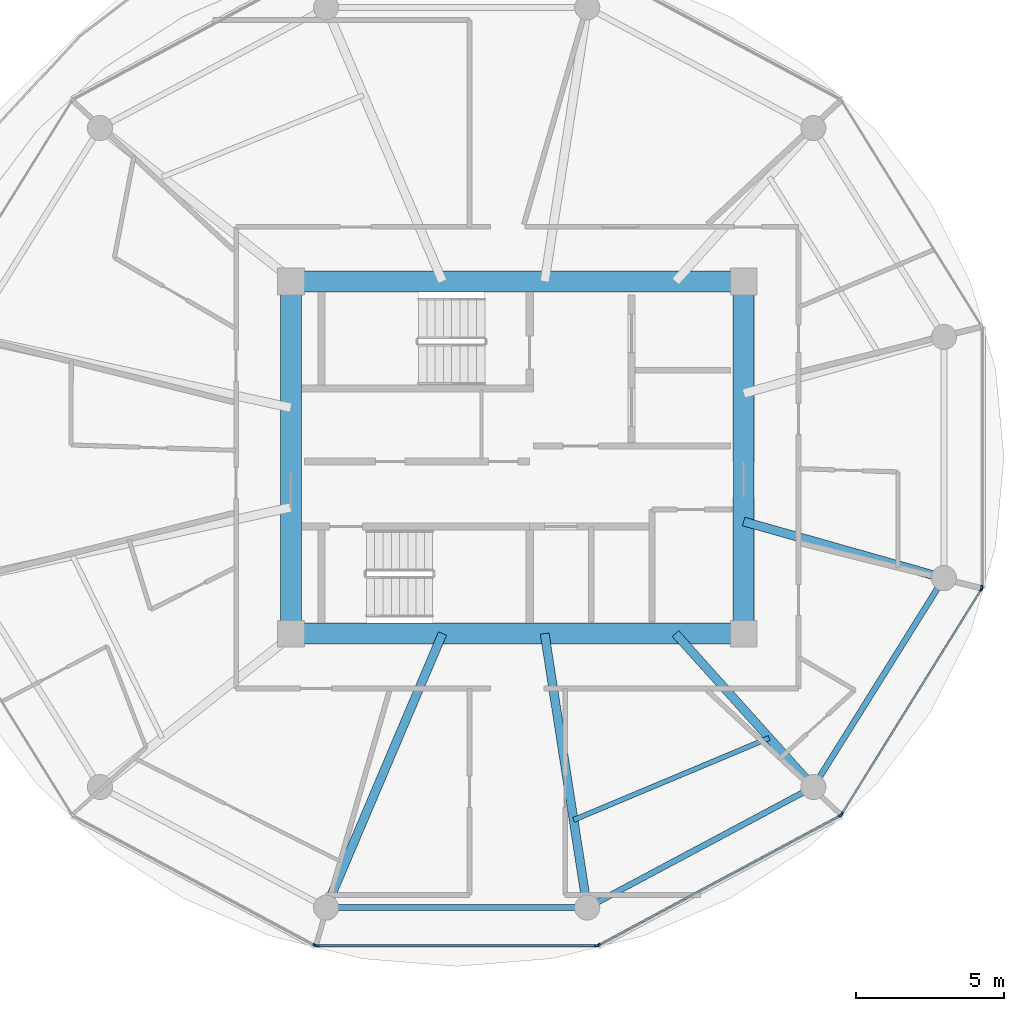
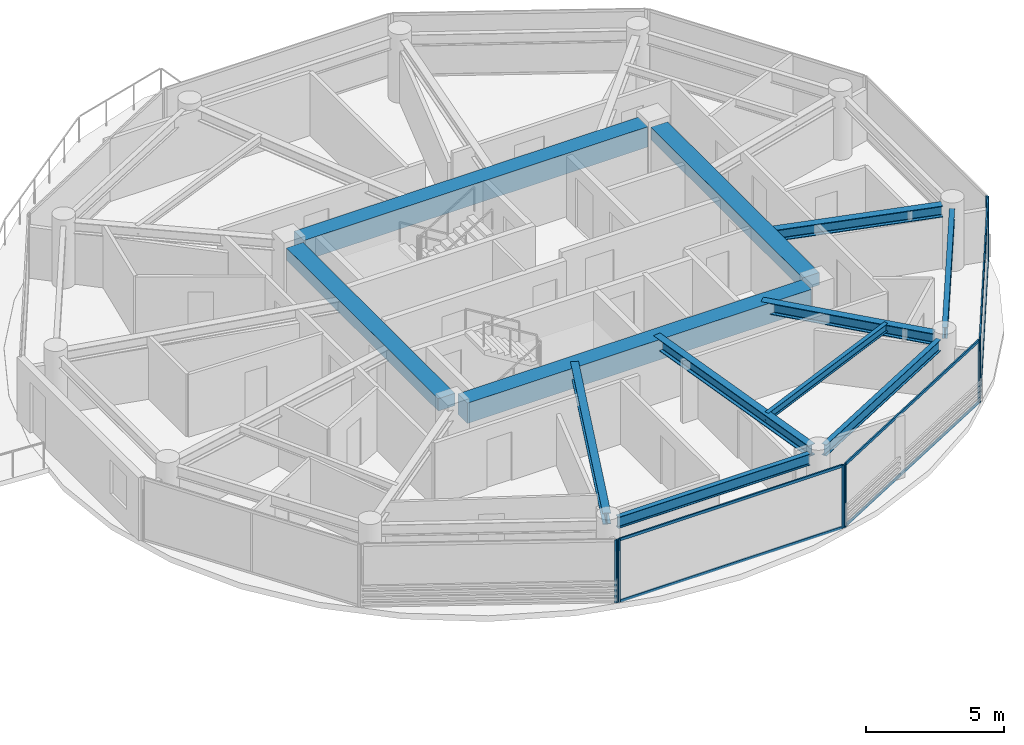
# One storey, part 10 of 22: 14 members, 12 beams, 5 elements without a shape of their own.
"""IFC4 building model written with IfcOpenShell, lengths in metres."""

from ifc_helpers import new_model, si_unit, direction, frame, origin, origin_2d, place, context, subcontext, project, spatial, rectangle, i_section, extrude, source, transform, mapped, material, layer, layer_set, material_profile, profile_set, type_object, type_shapes, element, aggregate, save


model = new_model("IFC4")

# Units and contexts
model_context = context("Model", 3, precision=1e-05, world=origin(), true_north=direction((0.0, 1.0)))
body_context = subcontext(model_context, "Body", "Model", "MODEL_VIEW")
ifc_project = project(units=[si_unit("LENGTHUNIT", "METRE"), si_unit("AREAUNIT", "SQUARE_METRE"), si_unit("VOLUMEUNIT", "CUBIC_METRE"), si_unit("PLANEANGLEUNIT", "RADIAN"), si_unit("MASSUNIT", "GRAM", prefix="KILO")], contexts=[model_context])

# Site, building, storey
site_placement = place(None, origin())
site = spatial("IfcSite", under=ifc_project, at=site_placement, CompositionType="ELEMENT")
building_placement = place(site_placement, origin())
building = spatial("IfcBuilding", under=site, at=building_placement, Name="Norrkilde Senior Care Towers", CompositionType="ELEMENT")
storey_placement = place(building_placement, frame((0.0, 0.0, 120.64990234375)))
storey = spatial("IfcBuildingStorey", under=building, at=storey_placement, Name="L37", CompositionType="ELEMENT", Elevation=120.64990234375)

# Beams
ifc_material_1 = material(Name="Concrete C60/75", Category="concrete")
ifc_material_profile_1 = material_profile(ifc_material_1, rectangle(XDim=0.699951171875, YDim=0.89990234375, at=origin_2d()), Name="RC BM 700x900")
ifc_profile_set_1 = profile_set([ifc_material_profile_1], Name="Concrete C60/75")
beam_type_1 = type_object("IfcBeamType", Name="Core Coupling Girder 700x900", PredefinedType="USERDEFINED", material=ifc_profile_set_1)
shared_shape_1 = source(origin(), body_context, "Body", "SweptSolid", [
    extrude(rectangle(XDim=0.699951171875, YDim=0.89990234375, at=origin_2d()), origin(), (0.0, 0.0, 1.0), 14.43994140625),
])
type_shapes(beam_type_1, [shared_shape_1])
for number, where, z_axis, x_axis, name in (
    (1, (20.780029296875, 5.949951171875, 2.340087890625), (1.0, 0.0, 0.0), (0.0, 1.0, 0.0), "L37 Core E N Coupling Girder"),
    (2, (20.780029296875, -5.949951171875, 2.340087890625), (1.0, 0.0, 0.0), (0.0, 1.0, 0.0), "L37 Core E S Coupling Girder"),
):
    element("IfcBeam", number, at=place(storey_placement, frame(where, z_axis=z_axis, x_axis=x_axis)), inside=storey, type_object=beam_type_1, Name=name, ObjectType="GIRDER", PredefinedType="USERDEFINED", context=body_context, shape_type="MappedRepresentation", body=[
        mapped(shared_shape_1, transform((0.0, 0.0, 0.0), x_axis=(1.0, 0.0, 0.0), y_axis=(0.0, 1.0, 0.0), z_axis=(0.0, 0.0, 1.0), scale=1.0)),
    ])
ifc_material_profile_2 = material_profile(ifc_material_1, rectangle(XDim=0.699951171875, YDim=0.550048828125, at=origin_2d()), Name="RC BM 700x550")
ifc_profile_set_2 = profile_set([ifc_material_profile_2], Name="Concrete C60/75")
beam_type_2 = type_object("IfcBeamType", Name="Core Portal Coupling Beam 700x550", PredefinedType="USERDEFINED", material=ifc_profile_set_2)
shared_shape_2 = source(origin(), body_context, "Body", "SweptSolid", [
    extrude(rectangle(XDim=0.699951171875, YDim=0.550048828125, at=origin_2d()), origin(), (0.0, 0.0, 1.0), 11.0400390625),
])
type_shapes(beam_type_2, [shared_shape_2])
for number, where, z_axis, x_axis, name in (
    (3, (20.35009765625, -5.52001953125, 2.51513671875), (0.0, 1.0, 0.0), (-1.0, 0.0, 0.0), "L37 Core E W Coupling Girder"),
    (4, (35.64990234375, -5.52001953125, 2.51513671875), (0.0, 1.0, 0.0), (-1.0, 0.0, 0.0), "L37 Core E E Coupling Girder"),
):
    element("IfcBeam", number, at=place(storey_placement, frame(where, z_axis=z_axis, x_axis=x_axis)), inside=storey, type_object=beam_type_2, Name=name, ObjectType="GIRDER", PredefinedType="USERDEFINED", context=body_context, shape_type="MappedRepresentation", body=[
        mapped(shared_shape_2, transform((0.0, 0.0, 0.0), x_axis=(1.0, 0.0, 0.0), y_axis=(0.0, 1.0, 0.0), z_axis=(0.0, 0.0, 1.0), scale=1.0)),
    ])
ifc_material_2 = material(Name="Steel S355", Category="steel")
ifc_material_profile_3 = material_profile(ifc_material_2, i_section(OverallWidth=0.199951171875, OverallDepth=0.5, WebThickness=0.01025390625, FlangeThickness=0.01611328125, FilletRadius=0.02099609375, at=origin_2d()), Name="IPE 500")
ifc_profile_set_3 = profile_set([ifc_material_profile_3], Name="Steel S355")
beam_type_3 = type_object("IfcBeamType", Name="Perimeter Ring Spandrel Z2 IPE500", PredefinedType="SPANDREL", material=ifc_profile_set_3)
shared_shape_3 = source(origin(), body_context, "Body", "SweptSolid", [
    extrude(i_section(OverallWidth=0.199951171875, OverallDepth=0.5, WebThickness=0.01025390625, FlangeThickness=0.01611328125, FilletRadius=0.02099609375, at=origin_2d()), origin(), (0.0, 0.0, 1.0), 7.892333984375),
])
beam_1_placement = place(storey_placement, frame((30.70263671875, -15.0322265625, 2.5400390625), z_axis=(0.882350372282, 0.47059305194, 0.0), x_axis=(-0.47059305194, 0.882350372282, 0.0)))
element("IfcBeam", 5, at=beam_1_placement, inside=storey, type_object=beam_type_3, Name="L37 Drum E Perimeter Spandrel 10", PredefinedType="SPANDREL", context=body_context, shape_type="MappedRepresentation", body=[
    mapped(shared_shape_3, transform((0.0, 0.0, 0.0), x_axis=(1.0, 0.0, 0.0), y_axis=(0.0, 1.0, 0.0), z_axis=(0.0, 0.0, 1.0), scale=1.0)),
])
shared_shape_4 = source(origin(), body_context, "Body", "SweptSolid", [
    extrude(i_section(OverallWidth=0.199951171875, OverallDepth=0.5, WebThickness=0.01025390625, FlangeThickness=0.01611328125, FilletRadius=0.02099609375, at=origin_2d()), origin(), (0.0, 0.0, 1.0), 8.0556640625),
])
beam_2_placement = place(storey_placement, frame((21.922119140625, -15.21337890625, 2.5400390625), z_axis=(1.0, 0.0, 0.0), x_axis=(0.0, 1.0, 0.0)))
element("IfcBeam", 6, at=beam_2_placement, inside=storey, type_object=beam_type_3, Name="L37 Drum E Perimeter Spandrel 09", PredefinedType="SPANDREL", context=body_context, shape_type="MappedRepresentation", body=[
    mapped(shared_shape_4, transform((0.0, 0.0, 0.0), x_axis=(1.0, 0.0, 0.0), y_axis=(0.0, 1.0, 0.0), z_axis=(0.0, 0.0, 1.0), scale=1.0)),
])
ifc_material_profile_4 = material_profile(ifc_material_2, i_section(OverallWidth=0.300048828125, OverallDepth=0.5, WebThickness=0.014404296875, FlangeThickness=0.028076171875, FilletRadius=0.027099609375, at=origin_2d()), Name="HEB 500")
ifc_profile_set_4 = profile_set([ifc_material_profile_4], Name="Steel S355")
beam_type_4 = type_object("IfcBeamType", Name="Radial Floor Beam Z2 HEB500", PredefinedType="BEAM", material=ifc_profile_set_4)
shared_shape_5 = source(origin(), body_context, "Body", "SweptSolid", [
    extrude(i_section(OverallWidth=0.300048828125, OverallDepth=0.5, WebThickness=0.014404296875, FlangeThickness=0.028076171875, FilletRadius=0.027099609375, at=origin_2d()), origin(), (0.0, 0.0, 1.0), 9.679443359375),
])
beam_3_placement = place(storey_placement, frame((25.472412109375, -5.949951171875, 2.5400390625), z_axis=(-0.390998033479, -0.920391513333, 0.0), x_axis=(0.920391513333, -0.390998033479, 0.0)))
element("IfcBeam", 7, at=beam_3_placement, inside=storey, type_object=beam_type_4, Name="L37 Drum E Radial Floor Beam 09", PredefinedType="BEAM", context=body_context, shape_type="MappedRepresentation", body=[
    mapped(shared_shape_5, transform((0.0, 0.0, 0.0), x_axis=(1.0, 0.0, 0.0), y_axis=(0.0, 1.0, 0.0), z_axis=(0.0, 0.0, 1.0), scale=1.0)),
])
shared_shape_6 = source(origin(), body_context, "Body", "SweptSolid", [
    extrude(i_section(OverallWidth=0.300048828125, OverallDepth=0.5, WebThickness=0.014404296875, FlangeThickness=0.028076171875, FilletRadius=0.027099609375, at=origin_2d()), origin(), (0.0, 0.0, 1.0), 8.989501953125),
])
beam_4_placement = place(storey_placement, frame((28.924072265625, -5.949951171875, 2.5400390625), z_axis=(0.153471298636, -0.988153105796, 0.0), x_axis=(0.988153105796, 0.153471298636, 0.0)))
element("IfcBeam", 8, at=beam_4_placement, inside=storey, type_object=beam_type_4, Name="L37 Drum E Radial Floor Beam 10", PredefinedType="BEAM", context=body_context, shape_type="MappedRepresentation", body=[
    mapped(shared_shape_6, transform((0.0, 0.0, 0.0), x_axis=(1.0, 0.0, 0.0), y_axis=(0.0, 1.0, 0.0), z_axis=(0.0, 0.0, 1.0), scale=1.0)),
])
shared_shape_7 = source(origin(), body_context, "Body", "SweptSolid", [
    extrude(i_section(OverallWidth=0.199951171875, OverallDepth=0.5, WebThickness=0.01025390625, FlangeThickness=0.01611328125, FilletRadius=0.02099609375, at=origin_2d()), origin(), (0.0, 0.0, 1.0), 7.556396484375),
])
type_shapes(beam_type_3, [shared_shape_3, shared_shape_4, shared_shape_7])
beam_5_placement = place(storey_placement, frame((38.210205078125, -10.810546875, 2.5400390625), z_axis=(0.530004748437, 0.847994673706, 0.0), x_axis=(-0.847994673706, 0.530004748437, 0.0)))
element("IfcBeam", 9, at=beam_5_placement, inside=storey, type_object=beam_type_3, Name="L37 Drum E Perimeter Spandrel 11", PredefinedType="SPANDREL", context=body_context, shape_type="MappedRepresentation", body=[
    mapped(shared_shape_7, transform((0.0, 0.0, 0.0), x_axis=(1.0, 0.0, 0.0), y_axis=(0.0, 1.0, 0.0), z_axis=(0.0, 0.0, 1.0), scale=1.0)),
])
shared_shape_8 = source(origin(), body_context, "Body", "SweptSolid", [
    extrude(i_section(OverallWidth=0.300048828125, OverallDepth=0.5, WebThickness=0.014404296875, FlangeThickness=0.028076171875, FilletRadius=0.027099609375, at=origin_2d()), origin(), (0.0, 0.0, 1.0), 6.587890625),
])
beam_6_placement = place(storey_placement, frame((33.345947265625, -5.949951171875, 2.5400390625), z_axis=(0.668315438605, -0.743877997068, 0.0), x_axis=(0.743877997068, 0.668315438605, 0.0)))
element("IfcBeam", 10, at=beam_6_placement, inside=storey, type_object=beam_type_4, Name="L37 Drum E Radial Floor Beam 11", PredefinedType="BEAM", context=body_context, shape_type="MappedRepresentation", body=[
    mapped(shared_shape_8, transform((0.0, 0.0, 0.0), x_axis=(1.0, 0.0, 0.0), y_axis=(0.0, 1.0, 0.0), z_axis=(0.0, 0.0, 1.0), scale=1.0)),
])
shared_shape_9 = source(origin(), body_context, "Body", "SweptSolid", [
    extrude(i_section(OverallWidth=0.300048828125, OverallDepth=0.5, WebThickness=0.014404296875, FlangeThickness=0.028076171875, FilletRadius=0.027099609375, at=origin_2d()), origin(), (0.0, 0.0, 1.0), 6.6494140625),
])
type_shapes(beam_type_4, [shared_shape_5, shared_shape_6, shared_shape_8, shared_shape_9])
beam_7_placement = place(storey_placement, frame((35.64990234375, -2.162841796875, 2.5400390625), z_axis=(0.962289138357, -0.27202870106, 0.0), x_axis=(0.27202870106, 0.962289138357, 0.0)))
element("IfcBeam", 11, at=beam_7_placement, inside=storey, type_object=beam_type_4, Name="L37 Drum E Radial Floor Beam 12", PredefinedType="BEAM", context=body_context, shape_type="MappedRepresentation", body=[
    mapped(shared_shape_9, transform((0.0, 0.0, 0.0), x_axis=(1.0, 0.0, 0.0), y_axis=(0.0, 1.0, 0.0), z_axis=(0.0, 0.0, 1.0), scale=1.0)),
])
ifc_material_profile_5 = material_profile(ifc_material_2, i_section(OverallWidth=0.169921875, OverallDepth=0.360107421875, WebThickness=0.008056640625, FlangeThickness=0.0126953125, FilletRadius=0.01806640625, at=origin_2d()), Name="IPE 360")
ifc_profile_set_5 = profile_set([ifc_material_profile_5], Name="Steel S355")
beam_type_5 = type_object("IfcBeamType", Name="Secondary Floor Joist IPE360", PredefinedType="JOIST", material=ifc_profile_set_5)
shared_shape_10 = source(origin(), body_context, "Body", "SweptSolid", [
    extrude(i_section(OverallWidth=0.169921875, OverallDepth=0.360107421875, WebThickness=0.008056640625, FlangeThickness=0.0126953125, FilletRadius=0.01806640625, at=origin_2d()), origin(), (0.0, 0.0, 1.0), 7.169921875),
])
type_shapes(beam_type_5, [shared_shape_10])
beam_8_placement = place(storey_placement, frame((29.902587890625, -12.2490234375, 2.610107421875), z_axis=(0.922240600393, 0.386616444279, 0.0), x_axis=(-0.386616444279, 0.922240600393, 0.0)))
element("IfcBeam", 12, at=beam_8_placement, inside=storey, type_object=beam_type_5, Name="L37 Drum E Secondary Floor Joist 4", PredefinedType="JOIST", context=body_context, shape_type="MappedRepresentation", body=[
    mapped(shared_shape_10, transform((0.0, 0.0, 0.0), x_axis=(1.0, 0.0, 0.0), y_axis=(0.0, 1.0, 0.0), z_axis=(0.0, 0.0, 1.0), scale=1.0)),
])

# Curtain wall, member
ifc_material_3 = material(Name="Triple Low-E Insulated Glazing", Category="glass")
ifc_layer = layer(ifc_material_3, 0.195068359375)
ifc_layer_set = layer_set([ifc_layer], Name="Triple Low-E Insulated Glazing")
curtain_wall_type = type_object("IfcCurtainWallType", Name="CW3 Zone 2 Assisted Living Curtain Wall", PredefinedType="NOTDEFINED", material=ifc_layer_set)
curtain_wall_1_placement = place(storey_placement, origin())
curtain_wall_1 = element("IfcCurtainWall", 13, at=curtain_wall_1_placement, inside=storey, type_object=curtain_wall_type, Name="L37 Drum E Curtain Wall 07", PredefinedType="NOTDEFINED")
ifc_material_4 = material(Name="Anodised Aluminium", Category="aluminium")
ifc_material_profile_6 = material_profile(ifc_material_4, rectangle(XDim=0.06494140625, YDim=0.159912109375, at=origin_2d()), Name="ALU MULL 65x160")
ifc_profile_set_6 = profile_set([ifc_material_profile_6], Name="Anodised Aluminium")
member_type_1 = type_object("IfcMemberType", Name="Curtain Wall Mullion Z1-Z2 65x160", PredefinedType="MULLION", material=ifc_profile_set_6)
shared_shape_11 = source(origin(), body_context, "Body", "SweptSolid", [
    extrude(rectangle(XDim=0.06494140625, YDim=0.159912109375, at=origin_2d()), origin(), (0.0, 0.0, 1.0), 2.7900390625),
])
type_shapes(member_type_1, [shared_shape_11])
member_1_placement = place(storey_placement, frame((21.164306640625, -16.482666015625, 0.0), z_axis=(0.0, 0.0, 1.0), x_axis=(-0.472769402511, -0.881186184668, 0.0)))
member_1 = element("IfcMember", 14, at=member_1_placement, type_object=member_type_1, Name="CW-3 mullion 1", PredefinedType="MULLION", context=body_context, shape_type="MappedRepresentation", body=[
    mapped(shared_shape_11, transform((0.0, 0.0, 0.0), x_axis=(1.0, 0.0, 0.0), y_axis=(0.0, 1.0, 0.0), z_axis=(0.0, 0.0, 1.0), scale=1.0)),
])
aggregate(curtain_wall_1, [member_1])

# Curtain wall, members
curtain_wall_2_placement = place(storey_placement, origin())
curtain_wall_2 = element("IfcCurtainWall", 15, at=curtain_wall_2_placement, inside=storey, type_object=curtain_wall_type, Name="L37 Drum E Curtain Wall 08", PredefinedType="NOTDEFINED")
member_2_placement = place(storey_placement, frame((30.674560546875, -16.498046875, 0.0), z_axis=(0.0, 0.0, 1.0), x_axis=(0.0, -1.0, 0.0)))
member_2 = element("IfcMember", 16, at=member_2_placement, type_object=member_type_1, Name="CW-3 mullion 1", PredefinedType="MULLION", context=body_context, shape_type="MappedRepresentation", body=[
    mapped(shared_shape_11, transform((0.0, 0.0, 0.0), x_axis=(1.0, 0.0, 0.0), y_axis=(0.0, 1.0, 0.0), z_axis=(0.0, 0.0, 1.0), scale=1.0)),
])
member_3_placement = place(storey_placement, frame((21.225341796875, -16.498046875, 0.0), z_axis=(0.0, 0.0, 1.0), x_axis=(0.0, -1.0, 0.0)))
member_3 = element("IfcMember", 17, at=member_3_placement, type_object=member_type_1, Name="CW-3 mullion 2", PredefinedType="MULLION", context=body_context, shape_type="MappedRepresentation", body=[
    mapped(shared_shape_11, transform((0.0, 0.0, 0.0), x_axis=(1.0, 0.0, 0.0), y_axis=(0.0, 1.0, 0.0), z_axis=(0.0, 0.0, 1.0), scale=1.0)),
])

curtain_wall_3_placement = place(storey_placement, origin())
curtain_wall_3 = element("IfcCurtainWall", 18, at=curtain_wall_3_placement, inside=storey, type_object=curtain_wall_type, Name="L37 Drum E Curtain Wall 09", PredefinedType="NOTDEFINED")
member_4_placement = place(storey_placement, frame((38.91796875, -12.0927734375, 0.0), z_axis=(0.0, 0.0, 1.0), x_axis=(0.472769402511, -0.881186184668, 0.0)))
member_4 = element("IfcMember", 19, at=member_4_placement, type_object=member_type_1, Name="CW-3 mullion 1", PredefinedType="MULLION", context=body_context, shape_type="MappedRepresentation", body=[
    mapped(shared_shape_11, transform((0.0, 0.0, 0.0), x_axis=(1.0, 0.0, 0.0), y_axis=(0.0, 1.0, 0.0), z_axis=(0.0, 0.0, 1.0), scale=1.0)),
])
member_5_placement = place(storey_placement, frame((30.73583984375, -16.482666015625, 0.0), z_axis=(0.0, 0.0, 1.0), x_axis=(0.472769402511, -0.881186184668, 0.0)))
member_5 = element("IfcMember", 20, at=member_5_placement, type_object=member_type_1, Name="CW-3 mullion 2", PredefinedType="MULLION", context=body_context, shape_type="MappedRepresentation", body=[
    mapped(shared_shape_11, transform((0.0, 0.0, 0.0), x_axis=(1.0, 0.0, 0.0), y_axis=(0.0, 1.0, 0.0), z_axis=(0.0, 0.0, 1.0), scale=1.0)),
])

curtain_wall_4_placement = place(storey_placement, origin())
curtain_wall_4 = element("IfcCurtainWall", 21, at=curtain_wall_4_placement, inside=storey, type_object=curtain_wall_type, Name="L37 Drum E Curtain Wall 10", PredefinedType="NOTDEFINED")
member_6_placement = place(storey_placement, frame((43.6865234375, -4.4482421875, 0.0), z_axis=(0.0, 0.0, 1.0), x_axis=(0.849410171862, -0.527733228002, 0.0)))
member_6 = element("IfcMember", 22, at=member_6_placement, type_object=member_type_1, Name="CW-3 mullion 1", PredefinedType="MULLION", context=body_context, shape_type="MappedRepresentation", body=[
    mapped(shared_shape_11, transform((0.0, 0.0, 0.0), x_axis=(1.0, 0.0, 0.0), y_axis=(0.0, 1.0, 0.0), z_axis=(0.0, 0.0, 1.0), scale=1.0)),
])
member_7_placement = place(storey_placement, frame((38.9638671875, -12.0498046875, 0.0), z_axis=(0.0, 0.0, 1.0), x_axis=(0.849410171862, -0.527733228002, 0.0)))
member_7 = element("IfcMember", 23, at=member_7_placement, type_object=member_type_1, Name="CW-3 mullion 2", PredefinedType="MULLION", context=body_context, shape_type="MappedRepresentation", body=[
    mapped(shared_shape_11, transform((0.0, 0.0, 0.0), x_axis=(1.0, 0.0, 0.0), y_axis=(0.0, 1.0, 0.0), z_axis=(0.0, 0.0, 1.0), scale=1.0)),
])

# Curtain wall, member
curtain_wall_5_placement = place(storey_placement, origin())
curtain_wall_5 = element("IfcCurtainWall", 24, at=curtain_wall_5_placement, inside=storey, type_object=curtain_wall_type, Name="L37 Drum E Curtain Wall 11", PredefinedType="NOTDEFINED")
member_8_placement = place(storey_placement, frame((43.70361328125, -4.38818359375, 0.0), z_axis=(0.0, 0.0, 1.0), x_axis=(1.0, 0.0, 0.0)))
member_8 = element("IfcMember", 25, at=member_8_placement, type_object=member_type_1, Name="CW-3 mullion 2", PredefinedType="MULLION", context=body_context, shape_type="MappedRepresentation", body=[
    mapped(shared_shape_11, transform((0.0, 0.0, 0.0), x_axis=(1.0, 0.0, 0.0), y_axis=(0.0, 1.0, 0.0), z_axis=(0.0, 0.0, 1.0), scale=1.0)),
])
aggregate(curtain_wall_5, [member_8])

# Member
ifc_material_profile_7 = material_profile(ifc_material_4, rectangle(XDim=0.06005859375, YDim=0.1201171875, at=origin_2d()), Name="ALU TRAN 60x120")
ifc_profile_set_7 = profile_set([ifc_material_profile_7], Name="Anodised Aluminium")
member_type_2 = type_object("IfcMemberType", Name="Curtain Wall Transom Typical 60x120", PredefinedType="USERDEFINED", material=ifc_profile_set_7)
shared_shape_12 = source(origin(), body_context, "Body", "SweptSolid", [
    extrude(rectangle(XDim=0.06005859375, YDim=0.1201171875, at=origin_2d()), origin(), (0.0, 0.0, 1.0), 8.88427734375),
])
member_9_placement = place(storey_placement, frame((43.66943359375, -4.475830078125, 0.030029296875), z_axis=(-0.527729466743, -0.849412508697, 0.0), x_axis=(0.849412508697, -0.527729466743, 0.0)))
member_9 = element("IfcMember", 26, at=member_9_placement, type_object=member_type_2, Name="CW-3 transom 1.1", ObjectType="TRANSOM", PredefinedType="USERDEFINED", context=body_context, shape_type="MappedRepresentation", body=[
    mapped(shared_shape_12, transform((0.0, 0.0, 0.0), x_axis=(1.0, 0.0, 0.0), y_axis=(0.0, 1.0, 0.0), z_axis=(0.0, 0.0, 1.0), scale=1.0)),
])

member_10_placement = place(storey_placement, frame((43.66943359375, -4.475830078125, 2.760009765625), z_axis=(-0.527729466743, -0.849412508697, 0.0), x_axis=(0.849412508697, -0.527729466743, 0.0)))
member_10 = element("IfcMember", 27, at=member_10_placement, type_object=member_type_2, Name="CW-3 transom 1.2", ObjectType="TRANSOM", PredefinedType="USERDEFINED", context=body_context, shape_type="MappedRepresentation", body=[
    mapped(shared_shape_12, transform((0.0, 0.0, 0.0), x_axis=(1.0, 0.0, 0.0), y_axis=(0.0, 1.0, 0.0), z_axis=(0.0, 0.0, 1.0), scale=1.0)),
])

aggregate(curtain_wall_4, [member_6, member_7, member_9, member_10])

shared_shape_13 = source(origin(), body_context, "Body", "SweptSolid", [
    extrude(rectangle(XDim=0.06005859375, YDim=0.1201171875, at=origin_2d()), origin(), (0.0, 0.0, 1.0), 9.220458984375),
])
member_11_placement = place(storey_placement, frame((38.889404296875, -12.108154296875, 0.030029296875), z_axis=(-0.881188517866, -0.472765053681, 0.0), x_axis=(0.472765053681, -0.881188517866, 0.0)))
member_11 = element("IfcMember", 28, at=member_11_placement, type_object=member_type_2, Name="CW-3 transom 1.1", ObjectType="TRANSOM", PredefinedType="USERDEFINED", context=body_context, shape_type="MappedRepresentation", body=[
    mapped(shared_shape_13, transform((0.0, 0.0, 0.0), x_axis=(1.0, 0.0, 0.0), y_axis=(0.0, 1.0, 0.0), z_axis=(0.0, 0.0, 1.0), scale=1.0)),
])

member_12_placement = place(storey_placement, frame((38.889404296875, -12.108154296875, 2.760009765625), z_axis=(-0.881188517866, -0.472765053681, 0.0), x_axis=(0.472765053681, -0.881188517866, 0.0)))
member_12 = element("IfcMember", 29, at=member_12_placement, type_object=member_type_2, Name="CW-3 transom 1.2", ObjectType="TRANSOM", PredefinedType="USERDEFINED", context=body_context, shape_type="MappedRepresentation", body=[
    mapped(shared_shape_13, transform((0.0, 0.0, 0.0), x_axis=(1.0, 0.0, 0.0), y_axis=(0.0, 1.0, 0.0), z_axis=(0.0, 0.0, 1.0), scale=1.0)),
])

aggregate(curtain_wall_3, [member_4, member_5, member_11, member_12])

shared_shape_14 = source(origin(), body_context, "Body", "SweptSolid", [
    extrude(rectangle(XDim=0.06005859375, YDim=0.1201171875, at=origin_2d()), origin(), (0.0, 0.0, 1.0), 9.38427734375),
])
type_shapes(member_type_2, [shared_shape_12, shared_shape_13, shared_shape_14])
member_13_placement = place(storey_placement, frame((30.64208984375, -16.498046875, 0.030029296875), z_axis=(-1.0, 0.0, 0.0), x_axis=(0.0, -1.0, 0.0)))
member_13 = element("IfcMember", 30, at=member_13_placement, type_object=member_type_2, Name="CW-3 transom 1.1", ObjectType="TRANSOM", PredefinedType="USERDEFINED", context=body_context, shape_type="MappedRepresentation", body=[
    mapped(shared_shape_14, transform((0.0, 0.0, 0.0), x_axis=(1.0, 0.0, 0.0), y_axis=(0.0, 1.0, 0.0), z_axis=(0.0, 0.0, 1.0), scale=1.0)),
])

member_14_placement = place(storey_placement, frame((30.64208984375, -16.498046875, 2.760009765625), z_axis=(-1.0, 0.0, 0.0), x_axis=(0.0, -1.0, 0.0)))
member_14 = element("IfcMember", 31, at=member_14_placement, type_object=member_type_2, Name="CW-3 transom 1.2", ObjectType="TRANSOM", PredefinedType="USERDEFINED", context=body_context, shape_type="MappedRepresentation", body=[
    mapped(shared_shape_14, transform((0.0, 0.0, 0.0), x_axis=(1.0, 0.0, 0.0), y_axis=(0.0, 1.0, 0.0), z_axis=(0.0, 0.0, 1.0), scale=1.0)),
])

aggregate(curtain_wall_2, [member_2, member_3, member_13, member_14])

save(model, "model.ifc")
